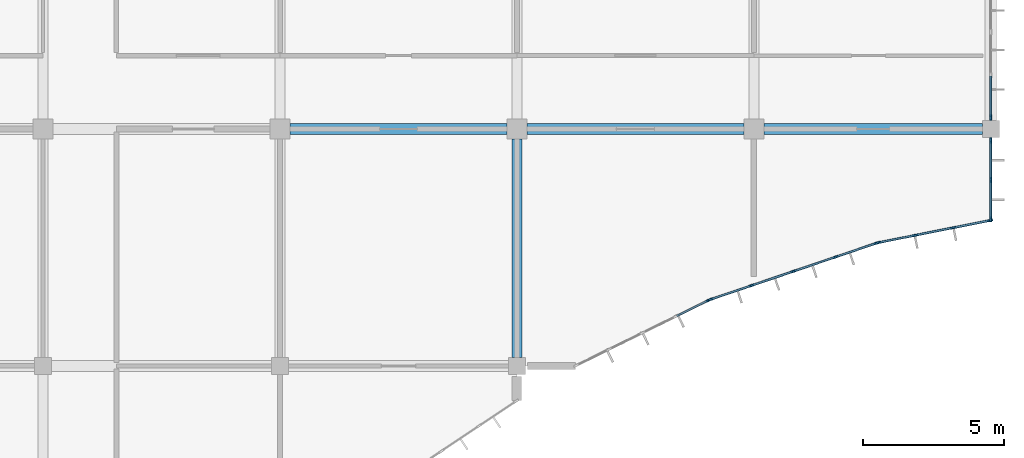
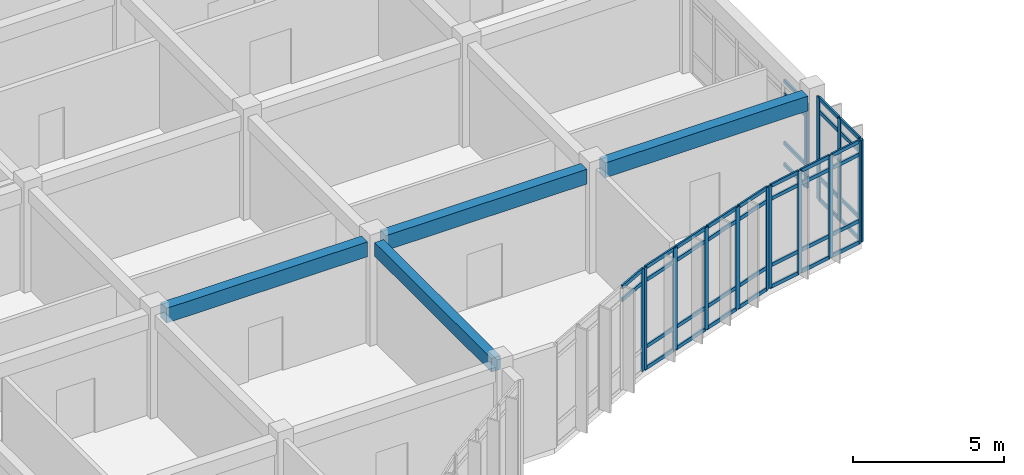
# One storey, part 65 of 144: 56 members, 4 beams, 5 elements without a shape of their own.
"""IFC4 building model written with IfcOpenShell, lengths in metres."""

from ifc_helpers import new_model, si_unit, direction, frame, origin, origin_2d, place, context, subcontext, project, spatial, rectangle, extrude, material, layer, layer_set, material_profile, profile_set, type_object, element, aggregate, save


model = new_model("IFC4")

# Units and contexts
model_context = context("Model", 3, precision=1e-05, world=origin(), true_north=direction((0.0, 1.0)))
body_context = subcontext(model_context, "Body", "Model", "MODEL_VIEW")
ifc_project = project(units=[si_unit("LENGTHUNIT", "METRE"), si_unit("AREAUNIT", "SQUARE_METRE"), si_unit("VOLUMEUNIT", "CUBIC_METRE"), si_unit("PLANEANGLEUNIT", "RADIAN"), si_unit("MASSUNIT", "GRAM", prefix="KILO")], contexts=[model_context])

# Site, building, storey
site_placement = place(None, origin())
site = spatial("IfcSite", under=ifc_project, at=site_placement, CompositionType="ELEMENT")
building_placement = place(site_placement, origin())
building = spatial("IfcBuilding", under=site, at=building_placement, Name="Bramfleet General Hospital", CompositionType="ELEMENT")
storey_placement = place(building_placement, frame((0.0, 0.0, 4.800048828125)))
storey = spatial("IfcBuildingStorey", under=building, at=storey_placement, Name="L01", CompositionType="ELEMENT", Elevation=4.800048828125)

# Beams
ifc_material_1 = material(Name="Concrete C35/45", Category="concrete")
ifc_material_profile_1 = material_profile(ifc_material_1, rectangle(XDim=0.35009765625, YDim=0.550048828125, at=origin_2d()), Name="RC BM 550x350")
ifc_profile_set_1 = profile_set([ifc_material_profile_1], Name="Concrete C35/45")
beam_type_1 = type_object("IfcBeamType", Name="BM-RC550", PredefinedType="BEAM", material=ifc_profile_set_1)
beam_1_placement = place(storey_placement, frame((151.199951171875, 84.300048828125, 3.875), z_axis=(0.0, 1.0, 0.0), x_axis=(-1.0, 0.0, 0.0)))
element("IfcBeam", 1, at=beam_1_placement, inside=storey, type_object=beam_type_1, Name="L01 Grid Beam Y 18-10", PredefinedType="BEAM", context=body_context, shape_type="SweptSolid", body=[
    extrude(rectangle(XDim=0.35009765625, YDim=0.550048828125, at=origin_2d()), origin(), (0.0, 0.0, 1.0), 7.75),
])
ifc_material_profile_2 = material_profile(ifc_material_1, rectangle(XDim=0.39990234375, YDim=0.60009765625, at=origin_2d()), Name="RC BM 600x400")
ifc_profile_set_2 = profile_set([ifc_material_profile_2], Name="Concrete C35/45")
beam_type_2 = type_object("IfcBeamType", Name="BM-RC600", PredefinedType="BEAM", material=ifc_profile_set_2)
beam_2_placement = place(storey_placement, frame((143.14990234375, 92.39990234375, 3.849853515625), z_axis=(1.0, 0.0, 0.0), x_axis=(0.0, 1.0, 0.0)))
element("IfcBeam", 2, at=beam_2_placement, inside=storey, type_object=beam_type_2, Name="L01 Grid Beam X 17-11", PredefinedType="BEAM", context=body_context, shape_type="SweptSolid", body=[
    extrude(rectangle(XDim=0.39990234375, YDim=0.60009765625, at=origin_2d()), origin(), (0.0, 0.0, 1.0), 7.7001953125),
])
beam_3_placement = place(storey_placement, frame((151.550048828125, 92.39990234375, 3.849853515625), z_axis=(1.0, 0.0, 0.0), x_axis=(0.0, 1.0, 0.0)))
element("IfcBeam", 3, at=beam_3_placement, inside=storey, type_object=beam_type_2, Name="L01 Grid Beam X 18-11", PredefinedType="BEAM", context=body_context, shape_type="SweptSolid", body=[
    extrude(rectangle(XDim=0.39990234375, YDim=0.60009765625, at=origin_2d()), origin(), (0.0, 0.0, 1.0), 7.699951171875),
])
beam_4_placement = place(storey_placement, frame((159.949951171875, 92.39990234375, 3.849853515625), z_axis=(1.0, 0.0, 0.0), x_axis=(0.0, 1.0, 0.0)))
element("IfcBeam", 4, at=beam_4_placement, inside=storey, type_object=beam_type_2, Name="L01 Grid Beam X 19-11", PredefinedType="BEAM", context=body_context, shape_type="SweptSolid", body=[
    extrude(rectangle(XDim=0.39990234375, YDim=0.60009765625, at=origin_2d()), origin(), (0.0, 0.0, 1.0), 7.75),
])

# Curtain wall, member
ifc_material_2 = material(Name="Anodised aluminium and low-E triple glazing", Category="aluminium")
ifc_layer_1 = layer(ifc_material_2, 0.179931640625, Name="CWT-CW-14")
ifc_layer_set_1 = layer_set([ifc_layer_1], Name="Anodised aluminium and low-E triple glazing")
curtain_wall_type_1 = type_object("IfcCurtainWallType", Name="CWT-CW-14", PredefinedType="USERDEFINED", material=ifc_layer_set_1)
curtain_wall_1_placement = place(storey_placement, origin())
curtain_wall_1 = element("IfcCurtainWall", 5, at=curtain_wall_1_placement, inside=storey, type_object=curtain_wall_type_1, Name="L01 Curtain Wall 50", ObjectType="Stick curtain wall", PredefinedType="USERDEFINED")
ifc_material_3 = material(Name="Structural timber GL28h", Category="wood")
ifc_material_profile_3 = material_profile(ifc_material_3, rectangle(XDim=0.070068359375, YDim=0.18994140625, at=origin_2d()), Name="LARCH 190x70")
ifc_profile_set_3 = profile_set([ifc_material_profile_3], Name="Structural timber GL28h")
member_type_1 = type_object("IfcMemberType", Name="CWM-LARCH450", PredefinedType="MULLION", material=ifc_profile_set_3)
member_1_placement = place(storey_placement, frame((168.0, 92.81005859375, 0.0), z_axis=(0.0, 0.0, 1.0), x_axis=(1.0, 0.0, 0.0)))
member_1 = element("IfcMember", 6, at=member_1_placement, type_object=member_type_1, Name="CW-14 mullion 6", PredefinedType="MULLION", context=body_context, shape_type="SweptSolid", body=[
    extrude(rectangle(XDim=0.070068359375, YDim=0.18994140625, at=origin_2d()), origin(), (0.0, 0.0, 1.0), 3.43994140625),
])

# Curtain wall, members
ifc_layer_2 = layer(ifc_material_2, 0.179931640625, Name="CWT-CW-15")
ifc_layer_set_2 = layer_set([ifc_layer_2], Name="Anodised aluminium and low-E triple glazing")
curtain_wall_type_2 = type_object("IfcCurtainWallType", Name="CWT-CW-15", PredefinedType="USERDEFINED", material=ifc_layer_set_2)
curtain_wall_2_placement = place(storey_placement, origin())
curtain_wall_2 = element("IfcCurtainWall", 7, at=curtain_wall_2_placement, inside=storey, type_object=curtain_wall_type_2, Name="L01 Curtain Wall 51", ObjectType="Stick curtain wall", PredefinedType="USERDEFINED")
member_2_placement = place(storey_placement, frame((168.0, 91.989990234375, 0.0), z_axis=(0.0, 0.0, 1.0), x_axis=(1.0, 0.0, 0.0)))
member_2 = element("IfcMember", 8, at=member_2_placement, type_object=member_type_1, Name="CW-15 mullion 1", PredefinedType="MULLION", context=body_context, shape_type="SweptSolid", body=[
    extrude(rectangle(XDim=0.070068359375, YDim=0.18994140625, at=origin_2d()), origin(), (0.0, 0.0, 1.0), 4.139892578125),
])
member_3_placement = place(storey_placement, frame((168.0, 90.594970703125, 0.0), z_axis=(0.0, 0.0, 1.0), x_axis=(1.0, 0.0, 0.0)))
member_3 = element("IfcMember", 9, at=member_3_placement, type_object=member_type_1, Name="CW-15 mullion 2", PredefinedType="MULLION", context=body_context, shape_type="SweptSolid", body=[
    extrude(rectangle(XDim=0.070068359375, YDim=0.18994140625, at=origin_2d()), origin(), (0.0, 0.0, 1.0), 4.139892578125),
])
member_4_placement = place(storey_placement, frame((168.0, 89.199951171875, 0.0), z_axis=(0.0, 0.0, 1.0), x_axis=(1.0, 0.0, 0.0)))
member_4 = element("IfcMember", 10, at=member_4_placement, type_object=member_type_1, Name="CW-15 mullion 3", PredefinedType="MULLION", context=body_context, shape_type="SweptSolid", body=[
    extrude(rectangle(XDim=0.070068359375, YDim=0.18994140625, at=origin_2d()), origin(), (0.0, 0.0, 1.0), 4.139892578125),
])

ifc_layer_3 = layer(ifc_material_2, 0.179931640625, Name="CWT-CW-16")
ifc_layer_set_3 = layer_set([ifc_layer_3], Name="Anodised aluminium and low-E triple glazing")
curtain_wall_type_3 = type_object("IfcCurtainWallType", Name="CWT-CW-16", PredefinedType="USERDEFINED", material=ifc_layer_set_3)
curtain_wall_3_placement = place(storey_placement, origin())
curtain_wall_3 = element("IfcCurtainWall", 11, at=curtain_wall_3_placement, inside=storey, type_object=curtain_wall_type_3, Name="L01 Curtain Wall 52", ObjectType="Stick curtain wall", PredefinedType="USERDEFINED")
member_5_placement = place(storey_placement, frame((167.965576171875, 89.158203125, 0.0), z_axis=(0.0, 0.0, 1.0), x_axis=(0.195272189606, -0.980749087161, 0.0)))
member_5 = element("IfcMember", 12, at=member_5_placement, type_object=member_type_1, Name="CW-16 mullion 1", PredefinedType="MULLION", context=body_context, shape_type="SweptSolid", body=[
    extrude(rectangle(XDim=0.070068359375, YDim=0.18994140625, at=origin_2d()), origin(), (0.0, 0.0, 1.0), 4.139892578125),
])
member_6_placement = place(storey_placement, frame((166.658935546875, 88.89794921875, 0.0), z_axis=(0.0, 0.0, 1.0), x_axis=(0.195272189606, -0.980749087161, 0.0)))
member_6 = element("IfcMember", 13, at=member_6_placement, type_object=member_type_1, Name="CW-16 mullion 2", PredefinedType="MULLION", context=body_context, shape_type="SweptSolid", body=[
    extrude(rectangle(XDim=0.070068359375, YDim=0.18994140625, at=origin_2d()), origin(), (0.0, 0.0, 1.0), 4.139892578125),
])
member_7_placement = place(storey_placement, frame((165.318115234375, 88.631103515625, 0.0), z_axis=(0.0, 0.0, 1.0), x_axis=(0.195272189606, -0.980749087161, 0.0)))
member_7 = element("IfcMember", 14, at=member_7_placement, type_object=member_type_1, Name="CW-16 mullion 3", PredefinedType="MULLION", context=body_context, shape_type="SweptSolid", body=[
    extrude(rectangle(XDim=0.070068359375, YDim=0.18994140625, at=origin_2d()), origin(), (0.0, 0.0, 1.0), 4.139892578125),
])
member_8_placement = place(storey_placement, frame((164.01123046875, 88.370849609375, 0.0), z_axis=(0.0, 0.0, 1.0), x_axis=(0.195272189606, -0.980749087161, 0.0)))
member_8 = element("IfcMember", 15, at=member_8_placement, type_object=member_type_1, Name="CW-16 mullion 4", PredefinedType="MULLION", context=body_context, shape_type="SweptSolid", body=[
    extrude(rectangle(XDim=0.070068359375, YDim=0.18994140625, at=origin_2d()), origin(), (0.0, 0.0, 1.0), 4.139892578125),
])

ifc_layer_4 = layer(ifc_material_2, 0.179931640625, Name="CWT-CW-17")
ifc_layer_set_4 = layer_set([ifc_layer_4], Name="Anodised aluminium and low-E triple glazing")
curtain_wall_type_4 = type_object("IfcCurtainWallType", Name="CWT-CW-17", PredefinedType="USERDEFINED", material=ifc_layer_set_4)
curtain_wall_4_placement = place(storey_placement, origin())
curtain_wall_4 = element("IfcCurtainWall", 16, at=curtain_wall_4_placement, inside=storey, type_object=curtain_wall_type_4, Name="L01 Curtain Wall 53", ObjectType="Stick curtain wall", PredefinedType="USERDEFINED")
member_9_placement = place(storey_placement, frame((163.94384765625, 88.352783203125, 0.0), z_axis=(0.0, 0.0, 1.0), x_axis=(0.321383054181, -0.946949276617, 0.0)))
member_9 = element("IfcMember", 17, at=member_9_placement, type_object=member_type_1, Name="CW-17 mullion 1", PredefinedType="MULLION", context=body_context, shape_type="SweptSolid", body=[
    extrude(rectangle(XDim=0.070068359375, YDim=0.18994140625, at=origin_2d()), origin(), (0.0, 0.0, 1.0), 4.139892578125),
])
member_10_placement = place(storey_placement, frame((162.490478515625, 87.859619140625, 0.0), z_axis=(0.0, 0.0, 1.0), x_axis=(0.321383054181, -0.946949276617, 0.0)))
member_10 = element("IfcMember", 18, at=member_10_placement, type_object=member_type_1, Name="CW-17 mullion 2", PredefinedType="MULLION", context=body_context, shape_type="SweptSolid", body=[
    extrude(rectangle(XDim=0.070068359375, YDim=0.18994140625, at=origin_2d()), origin(), (0.0, 0.0, 1.0), 4.139892578125),
])
member_11_placement = place(storey_placement, frame((161.00390625, 87.35498046875, 0.0), z_axis=(0.0, 0.0, 1.0), x_axis=(0.321383054181, -0.946949276617, 0.0)))
member_11 = element("IfcMember", 19, at=member_11_placement, type_object=member_type_1, Name="CW-17 mullion 3", PredefinedType="MULLION", context=body_context, shape_type="SweptSolid", body=[
    extrude(rectangle(XDim=0.070068359375, YDim=0.18994140625, at=origin_2d()), origin(), (0.0, 0.0, 1.0), 4.139892578125),
])
member_12_placement = place(storey_placement, frame((159.517578125, 86.8505859375, 0.0), z_axis=(0.0, 0.0, 1.0), x_axis=(0.321383054181, -0.946949276617, 0.0)))
member_12 = element("IfcMember", 20, at=member_12_placement, type_object=member_type_1, Name="CW-17 mullion 4", PredefinedType="MULLION", context=body_context, shape_type="SweptSolid", body=[
    extrude(rectangle(XDim=0.070068359375, YDim=0.18994140625, at=origin_2d()), origin(), (0.0, 0.0, 1.0), 4.139892578125),
])
member_13_placement = place(storey_placement, frame((158.064208984375, 86.357177734375, 0.0), z_axis=(0.0, 0.0, 1.0), x_axis=(0.321383054181, -0.946949276617, 0.0)))
member_13 = element("IfcMember", 21, at=member_13_placement, type_object=member_type_1, Name="CW-17 mullion 5", PredefinedType="MULLION", context=body_context, shape_type="SweptSolid", body=[
    extrude(rectangle(XDim=0.070068359375, YDim=0.18994140625, at=origin_2d()), origin(), (0.0, 0.0, 1.0), 4.139892578125),
])

# Curtain wall, member
ifc_layer_5 = layer(ifc_material_2, 0.179931640625, Name="CWT-CW-18")
ifc_layer_set_5 = layer_set([ifc_layer_5], Name="Anodised aluminium and low-E triple glazing")
curtain_wall_type_5 = type_object("IfcCurtainWallType", Name="CWT-CW-18", PredefinedType="USERDEFINED", material=ifc_layer_set_5)
curtain_wall_5_placement = place(storey_placement, origin())
curtain_wall_5 = element("IfcCurtainWall", 22, at=curtain_wall_5_placement, inside=storey, type_object=curtain_wall_type_5, Name="L01 Curtain Wall 54", ObjectType="Stick curtain wall", PredefinedType="USERDEFINED")
member_14_placement = place(storey_placement, frame((157.99951171875, 86.33056640625, 0.0), z_axis=(0.0, 0.0, 1.0), x_axis=(0.442304948782, -0.896864723513, 0.0)))
member_14 = element("IfcMember", 23, at=member_14_placement, type_object=member_type_1, Name="CW-18 mullion 1", PredefinedType="MULLION", context=body_context, shape_type="SweptSolid", body=[
    extrude(rectangle(XDim=0.070068359375, YDim=0.18994140625, at=origin_2d()), origin(), (0.0, 0.0, 1.0), 4.139892578125),
])

# Member
ifc_material_profile_4 = material_profile(ifc_material_3, rectangle(XDim=0.06494140625, YDim=0.14990234375, at=origin_2d()), Name="LARCH 150x65")
ifc_profile_set_4 = profile_set([ifc_material_profile_4], Name="Structural timber GL28h")
member_type_2 = type_object("IfcMemberType", Name="CWT-LARCH220", PredefinedType="USERDEFINED", material=ifc_profile_set_4)
member_15_placement = place(storey_placement, frame((168.0, 94.27001953125, 0.032470703125), z_axis=(0.0, -1.0, 0.0), x_axis=(1.0, 0.0, 0.0)))
member_15 = element("IfcMember", 24, at=member_15_placement, type_object=member_type_2, Name="CW-14 transom 5.1", ObjectType="TRANSOM", PredefinedType="USERDEFINED", context=body_context, shape_type="SweptSolid", body=[
    extrude(rectangle(XDim=0.06494140625, YDim=0.14990234375, at=origin_2d()), origin(), (0.0, 0.0, 1.0), 1.425048828125),
])

member_16_placement = place(storey_placement, frame((168.0, 94.27001953125, 0.89990234375), z_axis=(0.0, -1.0, 0.0), x_axis=(1.0, 0.0, 0.0)))
member_16 = element("IfcMember", 25, at=member_16_placement, type_object=member_type_2, Name="CW-14 transom 5.2", ObjectType="TRANSOM", PredefinedType="USERDEFINED", context=body_context, shape_type="SweptSolid", body=[
    extrude(rectangle(XDim=0.06494140625, YDim=0.14990234375, at=origin_2d()), origin(), (0.0, 0.0, 1.0), 1.425048828125),
])

member_17_placement = place(storey_placement, frame((168.0, 94.27001953125, 2.889892578125), z_axis=(0.0, -1.0, 0.0), x_axis=(1.0, 0.0, 0.0)))
member_17 = element("IfcMember", 26, at=member_17_placement, type_object=member_type_2, Name="CW-14 transom 5.3", ObjectType="TRANSOM", PredefinedType="USERDEFINED", context=body_context, shape_type="SweptSolid", body=[
    extrude(rectangle(XDim=0.06494140625, YDim=0.14990234375, at=origin_2d()), origin(), (0.0, 0.0, 1.0), 1.425048828125),
])

member_18_placement = place(storey_placement, frame((168.0, 94.27001953125, 3.407470703125), z_axis=(0.0, -1.0, 0.0), x_axis=(1.0, 0.0, 0.0)))
member_18 = element("IfcMember", 27, at=member_18_placement, type_object=member_type_2, Name="CW-14 transom 5.4", ObjectType="TRANSOM", PredefinedType="USERDEFINED", context=body_context, shape_type="SweptSolid", body=[
    extrude(rectangle(XDim=0.06494140625, YDim=0.14990234375, at=origin_2d()), origin(), (0.0, 0.0, 1.0), 1.425048828125),
])

aggregate(curtain_wall_1, [member_1, member_15, member_16, member_17, member_18])

member_19_placement = place(storey_placement, frame((168.0, 91.955078125, 0.032470703125), z_axis=(0.0, -1.0, 0.0), x_axis=(1.0, 0.0, 0.0)))
member_19 = element("IfcMember", 28, at=member_19_placement, type_object=member_type_2, Name="CW-15 transom 1.1", ObjectType="TRANSOM", PredefinedType="USERDEFINED", context=body_context, shape_type="SweptSolid", body=[
    extrude(rectangle(XDim=0.06494140625, YDim=0.14990234375, at=origin_2d()), origin(), (0.0, 0.0, 1.0), 1.3251953125),
])

member_20_placement = place(storey_placement, frame((168.0, 91.955078125, 0.89990234375), z_axis=(0.0, -1.0, 0.0), x_axis=(1.0, 0.0, 0.0)))
member_20 = element("IfcMember", 29, at=member_20_placement, type_object=member_type_2, Name="CW-15 transom 1.2", ObjectType="TRANSOM", PredefinedType="USERDEFINED", context=body_context, shape_type="SweptSolid", body=[
    extrude(rectangle(XDim=0.06494140625, YDim=0.14990234375, at=origin_2d()), origin(), (0.0, 0.0, 1.0), 1.3251953125),
])

member_21_placement = place(storey_placement, frame((168.0, 91.955078125, 3.58984375), z_axis=(0.0, -1.0, 0.0), x_axis=(1.0, 0.0, 0.0)))
member_21 = element("IfcMember", 30, at=member_21_placement, type_object=member_type_2, Name="CW-15 transom 1.3", ObjectType="TRANSOM", PredefinedType="USERDEFINED", context=body_context, shape_type="SweptSolid", body=[
    extrude(rectangle(XDim=0.06494140625, YDim=0.14990234375, at=origin_2d()), origin(), (0.0, 0.0, 1.0), 1.3251953125),
])

member_22_placement = place(storey_placement, frame((168.0, 91.955078125, 4.107421875), z_axis=(0.0, -1.0, 0.0), x_axis=(1.0, 0.0, 0.0)))
member_22 = element("IfcMember", 31, at=member_22_placement, type_object=member_type_2, Name="CW-15 transom 1.4", ObjectType="TRANSOM", PredefinedType="USERDEFINED", context=body_context, shape_type="SweptSolid", body=[
    extrude(rectangle(XDim=0.06494140625, YDim=0.14990234375, at=origin_2d()), origin(), (0.0, 0.0, 1.0), 1.3251953125),
])

member_23_placement = place(storey_placement, frame((168.0, 90.56005859375, 0.032470703125), z_axis=(0.0, -1.0, 0.0), x_axis=(1.0, 0.0, 0.0)))
member_23 = element("IfcMember", 32, at=member_23_placement, type_object=member_type_2, Name="CW-15 transom 2.1", ObjectType="TRANSOM", PredefinedType="USERDEFINED", context=body_context, shape_type="SweptSolid", body=[
    extrude(rectangle(XDim=0.06494140625, YDim=0.14990234375, at=origin_2d()), origin(), (0.0, 0.0, 1.0), 1.324951171875),
])

member_24_placement = place(storey_placement, frame((168.0, 90.56005859375, 0.89990234375), z_axis=(0.0, -1.0, 0.0), x_axis=(1.0, 0.0, 0.0)))
member_24 = element("IfcMember", 33, at=member_24_placement, type_object=member_type_2, Name="CW-15 transom 2.2", ObjectType="TRANSOM", PredefinedType="USERDEFINED", context=body_context, shape_type="SweptSolid", body=[
    extrude(rectangle(XDim=0.06494140625, YDim=0.14990234375, at=origin_2d()), origin(), (0.0, 0.0, 1.0), 1.324951171875),
])

member_25_placement = place(storey_placement, frame((168.0, 90.56005859375, 3.58984375), z_axis=(0.0, -1.0, 0.0), x_axis=(1.0, 0.0, 0.0)))
member_25 = element("IfcMember", 34, at=member_25_placement, type_object=member_type_2, Name="CW-15 transom 2.3", ObjectType="TRANSOM", PredefinedType="USERDEFINED", context=body_context, shape_type="SweptSolid", body=[
    extrude(rectangle(XDim=0.06494140625, YDim=0.14990234375, at=origin_2d()), origin(), (0.0, 0.0, 1.0), 1.324951171875),
])

member_26_placement = place(storey_placement, frame((168.0, 90.56005859375, 4.107421875), z_axis=(0.0, -1.0, 0.0), x_axis=(1.0, 0.0, 0.0)))
member_26 = element("IfcMember", 35, at=member_26_placement, type_object=member_type_2, Name="CW-15 transom 2.4", ObjectType="TRANSOM", PredefinedType="USERDEFINED", context=body_context, shape_type="SweptSolid", body=[
    extrude(rectangle(XDim=0.06494140625, YDim=0.14990234375, at=origin_2d()), origin(), (0.0, 0.0, 1.0), 1.324951171875),
])

aggregate(curtain_wall_2, [member_2, member_3, member_4, member_19, member_20, member_21, member_22, member_23, member_24, member_25, member_26])

member_27_placement = place(storey_placement, frame((167.931396484375, 89.1513671875, 0.032470703125), z_axis=(-0.980736573153, -0.195335030346, 0.0), x_axis=(0.195335030346, -0.980736573153, 0.0)))
member_27 = element("IfcMember", 36, at=member_27_placement, type_object=member_type_2, Name="CW-16 transom 1.1", ObjectType="TRANSOM", PredefinedType="USERDEFINED", context=body_context, shape_type="SweptSolid", body=[
    extrude(rectangle(XDim=0.06494140625, YDim=0.14990234375, at=origin_2d()), origin(), (0.0, 0.0, 1.0), 1.262451171875),
])

member_28_placement = place(storey_placement, frame((167.931396484375, 89.1513671875, 0.89990234375), z_axis=(-0.980736573153, -0.195335030346, 0.0), x_axis=(0.195335030346, -0.980736573153, 0.0)))
member_28 = element("IfcMember", 37, at=member_28_placement, type_object=member_type_2, Name="CW-16 transom 1.2", ObjectType="TRANSOM", PredefinedType="USERDEFINED", context=body_context, shape_type="SweptSolid", body=[
    extrude(rectangle(XDim=0.06494140625, YDim=0.14990234375, at=origin_2d()), origin(), (0.0, 0.0, 1.0), 1.262451171875),
])

member_29_placement = place(storey_placement, frame((167.931396484375, 89.1513671875, 3.58984375), z_axis=(-0.980736573153, -0.195335030346, 0.0), x_axis=(0.195335030346, -0.980736573153, 0.0)))
member_29 = element("IfcMember", 38, at=member_29_placement, type_object=member_type_2, Name="CW-16 transom 1.3", ObjectType="TRANSOM", PredefinedType="USERDEFINED", context=body_context, shape_type="SweptSolid", body=[
    extrude(rectangle(XDim=0.06494140625, YDim=0.14990234375, at=origin_2d()), origin(), (0.0, 0.0, 1.0), 1.262451171875),
])

member_30_placement = place(storey_placement, frame((167.931396484375, 89.1513671875, 4.107421875), z_axis=(-0.980736573153, -0.195335030346, 0.0), x_axis=(0.195335030346, -0.980736573153, 0.0)))
member_30 = element("IfcMember", 39, at=member_30_placement, type_object=member_type_2, Name="CW-16 transom 1.4", ObjectType="TRANSOM", PredefinedType="USERDEFINED", context=body_context, shape_type="SweptSolid", body=[
    extrude(rectangle(XDim=0.06494140625, YDim=0.14990234375, at=origin_2d()), origin(), (0.0, 0.0, 1.0), 1.262451171875),
])

member_31_placement = place(storey_placement, frame((166.624755859375, 88.89111328125, 0.032470703125), z_axis=(-0.9807756029, -0.195138967806, 0.0), x_axis=(0.195138967806, -0.9807756029, 0.0)))
member_31 = element("IfcMember", 40, at=member_31_placement, type_object=member_type_2, Name="CW-16 transom 2.1", ObjectType="TRANSOM", PredefinedType="USERDEFINED", context=body_context, shape_type="SweptSolid", body=[
    extrude(rectangle(XDim=0.06494140625, YDim=0.14990234375, at=origin_2d()), origin(), (0.0, 0.0, 1.0), 1.29736328125),
])

member_32_placement = place(storey_placement, frame((166.624755859375, 88.89111328125, 0.89990234375), z_axis=(-0.9807756029, -0.195138967806, 0.0), x_axis=(0.195138967806, -0.9807756029, 0.0)))
member_32 = element("IfcMember", 41, at=member_32_placement, type_object=member_type_2, Name="CW-16 transom 2.2", ObjectType="TRANSOM", PredefinedType="USERDEFINED", context=body_context, shape_type="SweptSolid", body=[
    extrude(rectangle(XDim=0.06494140625, YDim=0.14990234375, at=origin_2d()), origin(), (0.0, 0.0, 1.0), 1.29736328125),
])

member_33_placement = place(storey_placement, frame((166.624755859375, 88.89111328125, 3.58984375), z_axis=(-0.9807756029, -0.195138967806, 0.0), x_axis=(0.195138967806, -0.9807756029, 0.0)))
member_33 = element("IfcMember", 42, at=member_33_placement, type_object=member_type_2, Name="CW-16 transom 2.3", ObjectType="TRANSOM", PredefinedType="USERDEFINED", context=body_context, shape_type="SweptSolid", body=[
    extrude(rectangle(XDim=0.06494140625, YDim=0.14990234375, at=origin_2d()), origin(), (0.0, 0.0, 1.0), 1.29736328125),
])

member_34_placement = place(storey_placement, frame((166.624755859375, 88.89111328125, 4.107421875), z_axis=(-0.9807756029, -0.195138967806, 0.0), x_axis=(0.195138967806, -0.9807756029, 0.0)))
member_34 = element("IfcMember", 43, at=member_34_placement, type_object=member_type_2, Name="CW-16 transom 2.4", ObjectType="TRANSOM", PredefinedType="USERDEFINED", context=body_context, shape_type="SweptSolid", body=[
    extrude(rectangle(XDim=0.06494140625, YDim=0.14990234375, at=origin_2d()), origin(), (0.0, 0.0, 1.0), 1.29736328125),
])

member_35_placement = place(storey_placement, frame((165.28369140625, 88.624267578125, 0.032470703125), z_axis=(-0.980736573153, -0.195335030346, 0.0), x_axis=(0.195335030346, -0.980736573153, 0.0)))
member_35 = element("IfcMember", 44, at=member_35_placement, type_object=member_type_2, Name="CW-16 transom 3.1", ObjectType="TRANSOM", PredefinedType="USERDEFINED", context=body_context, shape_type="SweptSolid", body=[
    extrude(rectangle(XDim=0.06494140625, YDim=0.14990234375, at=origin_2d()), origin(), (0.0, 0.0, 1.0), 1.262451171875),
])

member_36_placement = place(storey_placement, frame((165.28369140625, 88.624267578125, 0.89990234375), z_axis=(-0.980736573153, -0.195335030346, 0.0), x_axis=(0.195335030346, -0.980736573153, 0.0)))
member_36 = element("IfcMember", 45, at=member_36_placement, type_object=member_type_2, Name="CW-16 transom 3.2", ObjectType="TRANSOM", PredefinedType="USERDEFINED", context=body_context, shape_type="SweptSolid", body=[
    extrude(rectangle(XDim=0.06494140625, YDim=0.14990234375, at=origin_2d()), origin(), (0.0, 0.0, 1.0), 1.262451171875),
])

member_37_placement = place(storey_placement, frame((165.28369140625, 88.624267578125, 3.58984375), z_axis=(-0.980736573153, -0.195335030346, 0.0), x_axis=(0.195335030346, -0.980736573153, 0.0)))
member_37 = element("IfcMember", 46, at=member_37_placement, type_object=member_type_2, Name="CW-16 transom 3.3", ObjectType="TRANSOM", PredefinedType="USERDEFINED", context=body_context, shape_type="SweptSolid", body=[
    extrude(rectangle(XDim=0.06494140625, YDim=0.14990234375, at=origin_2d()), origin(), (0.0, 0.0, 1.0), 1.262451171875),
])

member_38_placement = place(storey_placement, frame((165.28369140625, 88.624267578125, 4.107421875), z_axis=(-0.980736573153, -0.195335030346, 0.0), x_axis=(0.195335030346, -0.980736573153, 0.0)))
member_38 = element("IfcMember", 47, at=member_38_placement, type_object=member_type_2, Name="CW-16 transom 3.4", ObjectType="TRANSOM", PredefinedType="USERDEFINED", context=body_context, shape_type="SweptSolid", body=[
    extrude(rectangle(XDim=0.06494140625, YDim=0.14990234375, at=origin_2d()), origin(), (0.0, 0.0, 1.0), 1.262451171875),
])

aggregate(curtain_wall_3, [member_5, member_6, member_7, member_8, member_27, member_28, member_29, member_30, member_31, member_32, member_33, member_34, member_35, member_36, member_37, member_38])

member_39_placement = place(storey_placement, frame((163.91064453125, 88.341552734375, 0.032470703125), z_axis=(-0.946952433244, -0.321373753088, 0.0), x_axis=(0.321373753088, -0.946952433244, 0.0)))
member_39 = element("IfcMember", 48, at=member_39_placement, type_object=member_type_2, Name="CW-17 transom 1.1", ObjectType="TRANSOM", PredefinedType="USERDEFINED", context=body_context, shape_type="SweptSolid", body=[
    extrude(rectangle(XDim=0.06494140625, YDim=0.14990234375, at=origin_2d()), origin(), (0.0, 0.0, 1.0), 1.464599609375),
])

member_40_placement = place(storey_placement, frame((163.91064453125, 88.341552734375, 0.89990234375), z_axis=(-0.946952433244, -0.321373753088, 0.0), x_axis=(0.321373753088, -0.946952433244, 0.0)))
member_40 = element("IfcMember", 49, at=member_40_placement, type_object=member_type_2, Name="CW-17 transom 1.2", ObjectType="TRANSOM", PredefinedType="USERDEFINED", context=body_context, shape_type="SweptSolid", body=[
    extrude(rectangle(XDim=0.06494140625, YDim=0.14990234375, at=origin_2d()), origin(), (0.0, 0.0, 1.0), 1.464599609375),
])

member_41_placement = place(storey_placement, frame((163.91064453125, 88.341552734375, 3.58984375), z_axis=(-0.946952433244, -0.321373753088, 0.0), x_axis=(0.321373753088, -0.946952433244, 0.0)))
member_41 = element("IfcMember", 50, at=member_41_placement, type_object=member_type_2, Name="CW-17 transom 1.3", ObjectType="TRANSOM", PredefinedType="USERDEFINED", context=body_context, shape_type="SweptSolid", body=[
    extrude(rectangle(XDim=0.06494140625, YDim=0.14990234375, at=origin_2d()), origin(), (0.0, 0.0, 1.0), 1.464599609375),
])

member_42_placement = place(storey_placement, frame((163.91064453125, 88.341552734375, 4.107421875), z_axis=(-0.946952433244, -0.321373753088, 0.0), x_axis=(0.321373753088, -0.946952433244, 0.0)))
member_42 = element("IfcMember", 51, at=member_42_placement, type_object=member_type_2, Name="CW-17 transom 1.4", ObjectType="TRANSOM", PredefinedType="USERDEFINED", context=body_context, shape_type="SweptSolid", body=[
    extrude(rectangle(XDim=0.06494140625, YDim=0.14990234375, at=origin_2d()), origin(), (0.0, 0.0, 1.0), 1.464599609375),
])

member_43_placement = place(storey_placement, frame((162.457275390625, 87.84814453125, 0.032470703125), z_axis=(-0.946960124542, -0.321351089195, 0.0), x_axis=(0.321351089195, -0.946960124542, 0.0)))
member_43 = element("IfcMember", 52, at=member_43_placement, type_object=member_type_2, Name="CW-17 transom 2.1", ObjectType="TRANSOM", PredefinedType="USERDEFINED", context=body_context, shape_type="SweptSolid", body=[
    extrude(rectangle(XDim=0.06494140625, YDim=0.14990234375, at=origin_2d()), origin(), (0.0, 0.0, 1.0), 1.499755859375),
])

member_44_placement = place(storey_placement, frame((162.457275390625, 87.84814453125, 0.89990234375), z_axis=(-0.946960124542, -0.321351089195, 0.0), x_axis=(0.321351089195, -0.946960124542, 0.0)))
member_44 = element("IfcMember", 53, at=member_44_placement, type_object=member_type_2, Name="CW-17 transom 2.2", ObjectType="TRANSOM", PredefinedType="USERDEFINED", context=body_context, shape_type="SweptSolid", body=[
    extrude(rectangle(XDim=0.06494140625, YDim=0.14990234375, at=origin_2d()), origin(), (0.0, 0.0, 1.0), 1.499755859375),
])

member_45_placement = place(storey_placement, frame((162.457275390625, 87.84814453125, 3.58984375), z_axis=(-0.946960124542, -0.321351089195, 0.0), x_axis=(0.321351089195, -0.946960124542, 0.0)))
member_45 = element("IfcMember", 54, at=member_45_placement, type_object=member_type_2, Name="CW-17 transom 2.3", ObjectType="TRANSOM", PredefinedType="USERDEFINED", context=body_context, shape_type="SweptSolid", body=[
    extrude(rectangle(XDim=0.06494140625, YDim=0.14990234375, at=origin_2d()), origin(), (0.0, 0.0, 1.0), 1.499755859375),
])

member_46_placement = place(storey_placement, frame((162.457275390625, 87.84814453125, 4.107421875), z_axis=(-0.946960124542, -0.321351089195, 0.0), x_axis=(0.321351089195, -0.946960124542, 0.0)))
member_46 = element("IfcMember", 55, at=member_46_placement, type_object=member_type_2, Name="CW-17 transom 2.4", ObjectType="TRANSOM", PredefinedType="USERDEFINED", context=body_context, shape_type="SweptSolid", body=[
    extrude(rectangle(XDim=0.06494140625, YDim=0.14990234375, at=origin_2d()), origin(), (0.0, 0.0, 1.0), 1.499755859375),
])

member_47_placement = place(storey_placement, frame((160.970947265625, 87.34375, 0.032470703125), z_axis=(-0.946976931603, -0.321301557749, 0.0), x_axis=(0.321301557749, -0.946976931603, 0.0)))
member_47 = element("IfcMember", 56, at=member_47_placement, type_object=member_type_2, Name="CW-17 transom 3.1", ObjectType="TRANSOM", PredefinedType="USERDEFINED", context=body_context, shape_type="SweptSolid", body=[
    extrude(rectangle(XDim=0.06494140625, YDim=0.14990234375, at=origin_2d()), origin(), (0.0, 0.0, 1.0), 1.5),
])

member_48_placement = place(storey_placement, frame((160.970947265625, 87.34375, 0.89990234375), z_axis=(-0.946976931603, -0.321301557749, 0.0), x_axis=(0.321301557749, -0.946976931603, 0.0)))
member_48 = element("IfcMember", 57, at=member_48_placement, type_object=member_type_2, Name="CW-17 transom 3.2", ObjectType="TRANSOM", PredefinedType="USERDEFINED", context=body_context, shape_type="SweptSolid", body=[
    extrude(rectangle(XDim=0.06494140625, YDim=0.14990234375, at=origin_2d()), origin(), (0.0, 0.0, 1.0), 1.5),
])

member_49_placement = place(storey_placement, frame((160.970947265625, 87.34375, 3.58984375), z_axis=(-0.946976931603, -0.321301557749, 0.0), x_axis=(0.321301557749, -0.946976931603, 0.0)))
member_49 = element("IfcMember", 58, at=member_49_placement, type_object=member_type_2, Name="CW-17 transom 3.3", ObjectType="TRANSOM", PredefinedType="USERDEFINED", context=body_context, shape_type="SweptSolid", body=[
    extrude(rectangle(XDim=0.06494140625, YDim=0.14990234375, at=origin_2d()), origin(), (0.0, 0.0, 1.0), 1.5),
])

member_50_placement = place(storey_placement, frame((160.970947265625, 87.34375, 4.107421875), z_axis=(-0.946976931603, -0.321301557749, 0.0), x_axis=(0.321301557749, -0.946976931603, 0.0)))
member_50 = element("IfcMember", 59, at=member_50_placement, type_object=member_type_2, Name="CW-17 transom 3.4", ObjectType="TRANSOM", PredefinedType="USERDEFINED", context=body_context, shape_type="SweptSolid", body=[
    extrude(rectangle(XDim=0.06494140625, YDim=0.14990234375, at=origin_2d()), origin(), (0.0, 0.0, 1.0), 1.5),
])

member_51_placement = place(storey_placement, frame((159.484375, 86.83935546875, 0.032470703125), z_axis=(-0.946918923538, -0.321472475098, 0.0), x_axis=(0.321472475098, -0.946918923538, 0.0)))
member_51 = element("IfcMember", 60, at=member_51_placement, type_object=member_type_2, Name="CW-17 transom 4.1", ObjectType="TRANSOM", PredefinedType="USERDEFINED", context=body_context, shape_type="SweptSolid", body=[
    extrude(rectangle(XDim=0.06494140625, YDim=0.14990234375, at=origin_2d()), origin(), (0.0, 0.0, 1.0), 1.465087890625),
])

member_52_placement = place(storey_placement, frame((159.484375, 86.83935546875, 0.89990234375), z_axis=(-0.946918923538, -0.321472475098, 0.0), x_axis=(0.321472475098, -0.946918923538, 0.0)))
member_52 = element("IfcMember", 61, at=member_52_placement, type_object=member_type_2, Name="CW-17 transom 4.2", ObjectType="TRANSOM", PredefinedType="USERDEFINED", context=body_context, shape_type="SweptSolid", body=[
    extrude(rectangle(XDim=0.06494140625, YDim=0.14990234375, at=origin_2d()), origin(), (0.0, 0.0, 1.0), 1.465087890625),
])

member_53_placement = place(storey_placement, frame((159.484375, 86.83935546875, 3.58984375), z_axis=(-0.946918923538, -0.321472475098, 0.0), x_axis=(0.321472475098, -0.946918923538, 0.0)))
member_53 = element("IfcMember", 62, at=member_53_placement, type_object=member_type_2, Name="CW-17 transom 4.3", ObjectType="TRANSOM", PredefinedType="USERDEFINED", context=body_context, shape_type="SweptSolid", body=[
    extrude(rectangle(XDim=0.06494140625, YDim=0.14990234375, at=origin_2d()), origin(), (0.0, 0.0, 1.0), 1.465087890625),
])

member_54_placement = place(storey_placement, frame((159.484375, 86.83935546875, 4.107421875), z_axis=(-0.946918923538, -0.321472475098, 0.0), x_axis=(0.321472475098, -0.946918923538, 0.0)))
member_54 = element("IfcMember", 63, at=member_54_placement, type_object=member_type_2, Name="CW-17 transom 4.4", ObjectType="TRANSOM", PredefinedType="USERDEFINED", context=body_context, shape_type="SweptSolid", body=[
    extrude(rectangle(XDim=0.06494140625, YDim=0.14990234375, at=origin_2d()), origin(), (0.0, 0.0, 1.0), 1.465087890625),
])

aggregate(curtain_wall_4, [member_9, member_10, member_11, member_12, member_13, member_39, member_40, member_41, member_42, member_43, member_44, member_45, member_46, member_47, member_48, member_49, member_50, member_51, member_52, member_53, member_54])

member_55_placement = place(storey_placement, frame((157.96826171875, 86.31494140625, 3.58984375), z_axis=(-0.896892597897, -0.442248423216, 0.0), x_axis=(0.442248423216, -0.896892597897, 0.0)))
member_55 = element("IfcMember", 64, at=member_55_placement, type_object=member_type_2, Name="CW-18 transom 1.3", ObjectType="TRANSOM", PredefinedType="USERDEFINED", context=body_context, shape_type="SweptSolid", body=[
    extrude(rectangle(XDim=0.06494140625, YDim=0.14990234375, at=origin_2d()), origin(), (0.0, 0.0, 1.0), 1.22119140625),
])

member_56_placement = place(storey_placement, frame((157.96826171875, 86.31494140625, 4.107421875), z_axis=(-0.896892597897, -0.442248423216, 0.0), x_axis=(0.442248423216, -0.896892597897, 0.0)))
member_56 = element("IfcMember", 65, at=member_56_placement, type_object=member_type_2, Name="CW-18 transom 1.4", ObjectType="TRANSOM", PredefinedType="USERDEFINED", context=body_context, shape_type="SweptSolid", body=[
    extrude(rectangle(XDim=0.06494140625, YDim=0.14990234375, at=origin_2d()), origin(), (0.0, 0.0, 1.0), 1.22119140625),
])

aggregate(curtain_wall_5, [member_14, member_55, member_56])

save(model, "model.ifc")
